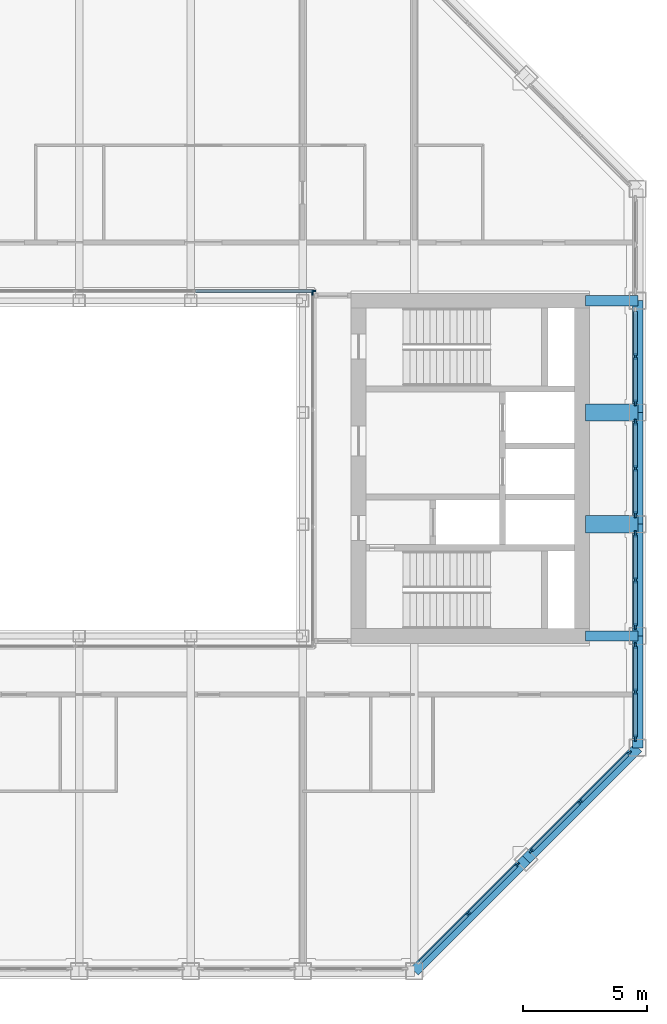
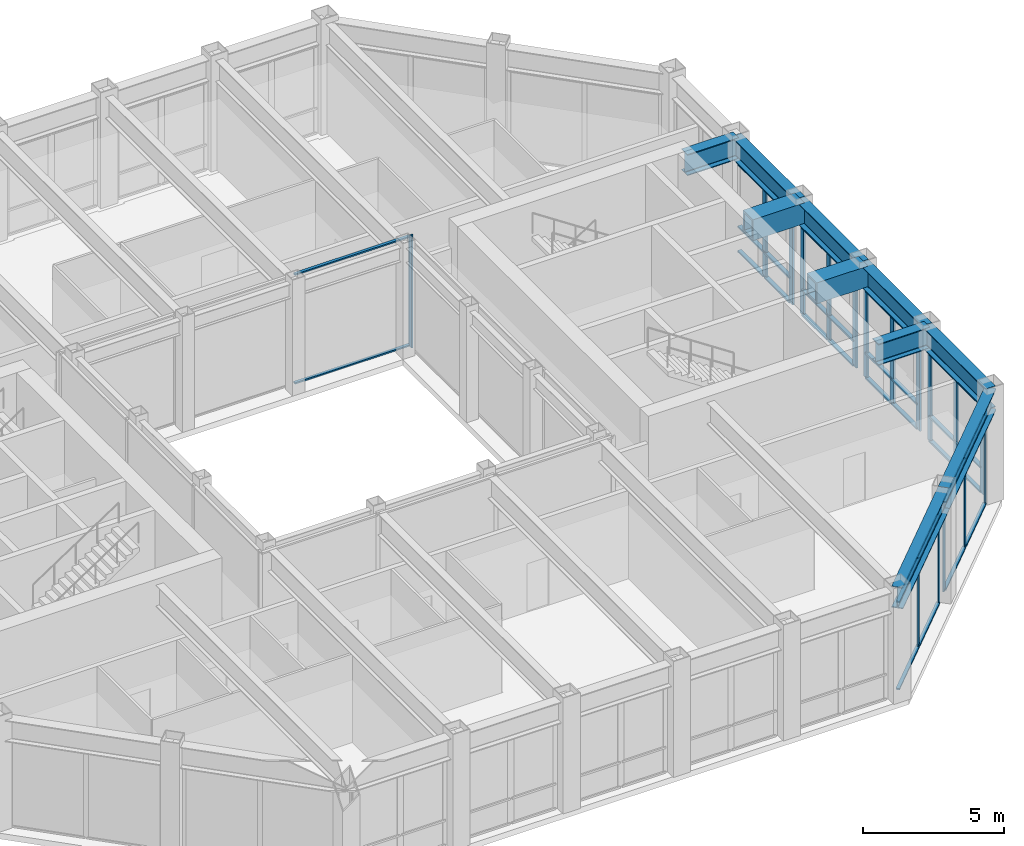
# One storey, part 5 of 15: 52 members, 10 beams, 8 elements without a shape of their own.
"""IFC4 building model written with IfcOpenShell, lengths in metres."""

from ifc_helpers import new_model, si_unit, direction, frame, origin, origin_2d, place, context, subcontext, project, spatial, rectangle, hollow_rectangle, i_section, extrude, material, material_profile, profile_set, type_object, element, aggregate, save


model = new_model("IFC4")

# Units and contexts
model_context = context("Model", 3, precision=1e-05, world=origin(), true_north=direction((0.0, 1.0)))
body_context = subcontext(model_context, "Body", "Model", "MODEL_VIEW")
ifc_project = project(units=[si_unit("LENGTHUNIT", "METRE"), si_unit("AREAUNIT", "SQUARE_METRE"), si_unit("VOLUMEUNIT", "CUBIC_METRE"), si_unit("PLANEANGLEUNIT", "RADIAN"), si_unit("MASSUNIT", "GRAM", prefix="KILO")], contexts=[model_context])

# Site, building, storey
site_placement = place(None, origin())
site = spatial("IfcSite", under=ifc_project, at=site_placement, CompositionType="ELEMENT")
building_placement = place(site_placement, origin())
building = spatial("IfcBuilding", under=site, at=building_placement, Name="Msasa Ring Tower", CompositionType="ELEMENT")
storey_placement = place(building_placement, frame((0.0, 0.0, 257.050048828125)))
storey = spatial("IfcBuildingStorey", under=building, at=storey_placement, Name="L67", CompositionType="ELEMENT", Elevation=257.050048828125)

# Curtain wall, members
ifc_material_1 = material(Name="Aluminium curtain wall with clear glass", Category="aluminium")
curtain_wall_type_1 = type_object("IfcCurtainWallType", Name="CW-C CHAMFER CORNER CURTAIN WALL", PredefinedType="NOTDEFINED", material=ifc_material_1)
curtain_wall_1_placement = place(storey_placement, origin())
curtain_wall_1 = element("IfcCurtainWall", 1, at=curtain_wall_1_placement, inside=storey, type_object=curtain_wall_type_1, Name="Chamfer corner curtain wall SE L67", PredefinedType="NOTDEFINED")
ifc_material_2 = material(Name="Aluminium mullion", Category="aluminium")
ifc_material_profile_1 = material_profile(ifc_material_2, rectangle(XDim=0.06494140625, YDim=0.179931640625, at=origin_2d()), Name="AL 65x180")
ifc_profile_set_1 = profile_set([ifc_material_profile_1], Name="Aluminium mullion")
member_type_1 = type_object("IfcMemberType", Name="CW-C MULLION 65x180", PredefinedType="MULLION", material=ifc_profile_set_1)
member_1_placement = place(storey_placement, frame((13.42919921875, -17.92919921875, 0.0), z_axis=(0.0, 0.0, 1.0), x_axis=(-0.707106781187, 0.707106781187, 0.0)))
member_1 = element("IfcMember", 2, at=member_1_placement, type_object=member_type_1, Name="CW-C mullion 2", PredefinedType="MULLION", context=body_context, shape_type="SweptSolid", body=[
    extrude(rectangle(XDim=0.06494140625, YDim=0.179931640625, at=origin_2d()), origin(), (0.0, 0.0, 1.0), 3.828857421875),
])
member_2_placement = place(storey_placement, frame((15.4052734375, -15.953369140625, 0.0), z_axis=(0.0, 0.0, 1.0), x_axis=(-0.707106781187, 0.707106781187, 0.0)))
member_2 = element("IfcMember", 3, at=member_2_placement, type_object=member_type_1, Name="CW-C mullion 3", PredefinedType="MULLION", context=body_context, shape_type="SweptSolid", body=[
    extrude(rectangle(XDim=0.06494140625, YDim=0.179931640625, at=origin_2d()), origin(), (0.0, 0.0, 1.0), 3.828857421875),
])

curtain_wall_2_placement = place(storey_placement, origin())
curtain_wall_2 = element("IfcCurtainWall", 4, at=curtain_wall_2_placement, inside=storey, type_object=curtain_wall_type_1, Name="Chamfer corner curtain wall SE L67", PredefinedType="NOTDEFINED")
member_3_placement = place(storey_placement, frame((15.953369140625, -15.4052734375, 0.0), z_axis=(0.0, 0.0, 1.0), x_axis=(-0.707106781187, 0.707106781187, 0.0)))
member_3 = element("IfcMember", 5, at=member_3_placement, type_object=member_type_1, Name="CW-C mullion 1", PredefinedType="MULLION", context=body_context, shape_type="SweptSolid", body=[
    extrude(rectangle(XDim=0.06494140625, YDim=0.179931640625, at=origin_2d()), origin(), (0.0, 0.0, 1.0), 3.828857421875),
])
member_4_placement = place(storey_placement, frame((17.92919921875, -13.42919921875, 0.0), z_axis=(0.0, 0.0, 1.0), x_axis=(-0.707106781187, 0.707106781187, 0.0)))
member_4 = element("IfcMember", 6, at=member_4_placement, type_object=member_type_1, Name="CW-C mullion 2", PredefinedType="MULLION", context=body_context, shape_type="SweptSolid", body=[
    extrude(rectangle(XDim=0.06494140625, YDim=0.179931640625, at=origin_2d()), origin(), (0.0, 0.0, 1.0), 3.828857421875),
])
member_5_placement = place(storey_placement, frame((19.9052734375, -11.453369140625, 0.0), z_axis=(0.0, 0.0, 1.0), x_axis=(-0.707106781187, 0.707106781187, 0.0)))
member_5 = element("IfcMember", 7, at=member_5_placement, type_object=member_type_1, Name="CW-C mullion 3", PredefinedType="MULLION", context=body_context, shape_type="SweptSolid", body=[
    extrude(rectangle(XDim=0.06494140625, YDim=0.179931640625, at=origin_2d()), origin(), (0.0, 0.0, 1.0), 3.828857421875),
])

# Member
ifc_material_3 = material(Name="Aluminium transom", Category="aluminium")
ifc_material_profile_2 = material_profile(ifc_material_3, rectangle(XDim=0.139892578125, YDim=0.06494140625, at=origin_2d()), Name="AL 65x140")
ifc_profile_set_2 = profile_set([ifc_material_profile_2], Name="Aluminium transom")
member_type_2 = type_object("IfcMemberType", Name="CW-C TRANSOM 65x140", PredefinedType="USERDEFINED", material=ifc_profile_set_2)
member_6_placement = place(storey_placement, frame((11.476318359375, -19.88232421875, 0.032470703125), z_axis=(0.707106781187, 0.707106781187, 0.0), x_axis=(-0.707106781187, 0.707106781187, 0.0)))
member_6 = element("IfcMember", 8, at=member_6_placement, type_object=member_type_2, Name="CW-C transom 1.1", ObjectType="TRANSOM", PredefinedType="USERDEFINED", context=body_context, shape_type="SweptSolid", body=[
    extrude(rectangle(XDim=0.139892578125, YDim=0.06494140625, at=origin_2d()), origin(), (0.0, 0.0, 1.0), 2.729248046875),
])

member_7_placement = place(storey_placement, frame((11.476318359375, -19.88232421875, 3.79638671875), z_axis=(0.707106781187, 0.707106781187, 0.0), x_axis=(-0.707106781187, 0.707106781187, 0.0)))
member_7 = element("IfcMember", 9, at=member_7_placement, type_object=member_type_2, Name="CW-C transom 1.2", ObjectType="TRANSOM", PredefinedType="USERDEFINED", context=body_context, shape_type="SweptSolid", body=[
    extrude(rectangle(XDim=0.139892578125, YDim=0.06494140625, at=origin_2d()), origin(), (0.0, 0.0, 1.0), 2.729248046875),
])

member_8_placement = place(storey_placement, frame((13.452392578125, -17.90625, 0.032470703125), z_axis=(0.707106781187, 0.707106781187, 0.0), x_axis=(-0.707106781187, 0.707106781187, 0.0)))
member_8 = element("IfcMember", 10, at=member_8_placement, type_object=member_type_2, Name="CW-C transom 2.1", ObjectType="TRANSOM", PredefinedType="USERDEFINED", context=body_context, shape_type="SweptSolid", body=[
    extrude(rectangle(XDim=0.139892578125, YDim=0.06494140625, at=origin_2d()), origin(), (0.0, 0.0, 1.0), 2.729248046875),
])

member_9_placement = place(storey_placement, frame((13.452392578125, -17.90625, 3.79638671875), z_axis=(0.707106781187, 0.707106781187, 0.0), x_axis=(-0.707106781187, 0.707106781187, 0.0)))
member_9 = element("IfcMember", 11, at=member_9_placement, type_object=member_type_2, Name="CW-C transom 2.2", ObjectType="TRANSOM", PredefinedType="USERDEFINED", context=body_context, shape_type="SweptSolid", body=[
    extrude(rectangle(XDim=0.139892578125, YDim=0.06494140625, at=origin_2d()), origin(), (0.0, 0.0, 1.0), 2.729248046875),
])

aggregate(curtain_wall_1, [member_1, member_2, member_6, member_7, member_8, member_9])

member_10_placement = place(storey_placement, frame((15.976318359375, -15.38232421875, 0.032470703125), z_axis=(0.707106781187, 0.707106781187, 0.0), x_axis=(-0.707106781187, 0.707106781187, 0.0)))
member_10 = element("IfcMember", 12, at=member_10_placement, type_object=member_type_2, Name="CW-C transom 1.1", ObjectType="TRANSOM", PredefinedType="USERDEFINED", context=body_context, shape_type="SweptSolid", body=[
    extrude(rectangle(XDim=0.139892578125, YDim=0.06494140625, at=origin_2d()), origin(), (0.0, 0.0, 1.0), 2.729248046875),
])

member_11_placement = place(storey_placement, frame((15.976318359375, -15.38232421875, 3.79638671875), z_axis=(0.707106781187, 0.707106781187, 0.0), x_axis=(-0.707106781187, 0.707106781187, 0.0)))
member_11 = element("IfcMember", 13, at=member_11_placement, type_object=member_type_2, Name="CW-C transom 1.2", ObjectType="TRANSOM", PredefinedType="USERDEFINED", context=body_context, shape_type="SweptSolid", body=[
    extrude(rectangle(XDim=0.139892578125, YDim=0.06494140625, at=origin_2d()), origin(), (0.0, 0.0, 1.0), 2.729248046875),
])

member_12_placement = place(storey_placement, frame((17.952392578125, -13.40625, 0.032470703125), z_axis=(0.707106781187, 0.707106781187, 0.0), x_axis=(-0.707106781187, 0.707106781187, 0.0)))
member_12 = element("IfcMember", 14, at=member_12_placement, type_object=member_type_2, Name="CW-C transom 2.1", ObjectType="TRANSOM", PredefinedType="USERDEFINED", context=body_context, shape_type="SweptSolid", body=[
    extrude(rectangle(XDim=0.139892578125, YDim=0.06494140625, at=origin_2d()), origin(), (0.0, 0.0, 1.0), 2.729248046875),
])

member_13_placement = place(storey_placement, frame((17.952392578125, -13.40625, 3.79638671875), z_axis=(0.707106781187, 0.707106781187, 0.0), x_axis=(-0.707106781187, 0.707106781187, 0.0)))
member_13 = element("IfcMember", 15, at=member_13_placement, type_object=member_type_2, Name="CW-C transom 2.2", ObjectType="TRANSOM", PredefinedType="USERDEFINED", context=body_context, shape_type="SweptSolid", body=[
    extrude(rectangle(XDim=0.139892578125, YDim=0.06494140625, at=origin_2d()), origin(), (0.0, 0.0, 1.0), 2.729248046875),
])

aggregate(curtain_wall_2, [member_3, member_4, member_5, member_10, member_11, member_12, member_13])

# Curtain wall, members
ifc_material_4 = material(Name="Aluminium curtain wall with clear glass", Category="aluminium")
curtain_wall_type_2 = type_object("IfcCurtainWallType", Name="CW-S SKY LOBBY CURTAIN WALL", PredefinedType="NOTDEFINED", material=ifc_material_4)
curtain_wall_3_placement = place(storey_placement, origin())
curtain_wall_3 = element("IfcCurtainWall", 16, at=curtain_wall_3_placement, inside=storey, type_object=curtain_wall_type_2, Name="Sky lobby curtain wall E L67", PredefinedType="NOTDEFINED")
ifc_material_5 = material(Name="Aluminium mullion", Category="aluminium")
ifc_material_profile_3 = material_profile(ifc_material_5, rectangle(XDim=0.074951171875, YDim=0.25, at=origin_2d()), Name="AL 75x250")
ifc_profile_set_3 = profile_set([ifc_material_profile_3], Name="Aluminium mullion")
member_type_3 = type_object("IfcMemberType", Name="CW-S MULLION 75x250", PredefinedType="MULLION", material=ifc_profile_set_3)
member_14_placement = place(storey_placement, frame((20.14990234375, -10.857421875, 0.0), z_axis=(0.0, 0.0, 1.0), x_axis=(-1.0, 0.0, 0.0)))
member_14 = element("IfcMember", 17, at=member_14_placement, type_object=member_type_3, Name="CW-S mullion 1", PredefinedType="MULLION", context=body_context, shape_type="SweptSolid", body=[
    extrude(rectangle(XDim=0.074951171875, YDim=0.25, at=origin_2d()), origin(), (0.0, 0.0, 1.0), 3.828857421875),
])
member_15_placement = place(storey_placement, frame((20.14990234375, -9.0, 0.0), z_axis=(0.0, 0.0, 1.0), x_axis=(-1.0, 0.0, 0.0)))
member_15 = element("IfcMember", 18, at=member_15_placement, type_object=member_type_3, Name="CW-S mullion 2", PredefinedType="MULLION", context=body_context, shape_type="SweptSolid", body=[
    extrude(rectangle(XDim=0.074951171875, YDim=0.25, at=origin_2d()), origin(), (0.0, 0.0, 1.0), 3.828857421875),
])
member_16_placement = place(storey_placement, frame((20.14990234375, -7.142578125, 0.0), z_axis=(0.0, 0.0, 1.0), x_axis=(-1.0, 0.0, 0.0)))
member_16 = element("IfcMember", 19, at=member_16_placement, type_object=member_type_3, Name="CW-S mullion 3", PredefinedType="MULLION", context=body_context, shape_type="SweptSolid", body=[
    extrude(rectangle(XDim=0.074951171875, YDim=0.25, at=origin_2d()), origin(), (0.0, 0.0, 1.0), 3.828857421875),
])

curtain_wall_4_placement = place(storey_placement, origin())
curtain_wall_4 = element("IfcCurtainWall", 20, at=curtain_wall_4_placement, inside=storey, type_object=curtain_wall_type_2, Name="Sky lobby curtain wall E L67", PredefinedType="NOTDEFINED")
member_17_placement = place(storey_placement, frame((20.14990234375, -6.357421875, 0.0), z_axis=(0.0, 0.0, 1.0), x_axis=(-1.0, 0.0, 0.0)))
member_17 = element("IfcMember", 21, at=member_17_placement, type_object=member_type_3, Name="CW-S mullion 1", PredefinedType="MULLION", context=body_context, shape_type="SweptSolid", body=[
    extrude(rectangle(XDim=0.074951171875, YDim=0.25, at=origin_2d()), origin(), (0.0, 0.0, 1.0), 3.828857421875),
])
member_18_placement = place(storey_placement, frame((20.14990234375, -4.5, 0.0), z_axis=(0.0, 0.0, 1.0), x_axis=(-1.0, 0.0, 0.0)))
member_18 = element("IfcMember", 22, at=member_18_placement, type_object=member_type_3, Name="CW-S mullion 2", PredefinedType="MULLION", context=body_context, shape_type="SweptSolid", body=[
    extrude(rectangle(XDim=0.074951171875, YDim=0.25, at=origin_2d()), origin(), (0.0, 0.0, 1.0), 3.828857421875),
])
member_19_placement = place(storey_placement, frame((20.14990234375, -2.642578125, 0.0), z_axis=(0.0, 0.0, 1.0), x_axis=(-1.0, 0.0, 0.0)))
member_19 = element("IfcMember", 23, at=member_19_placement, type_object=member_type_3, Name="CW-S mullion 3", PredefinedType="MULLION", context=body_context, shape_type="SweptSolid", body=[
    extrude(rectangle(XDim=0.074951171875, YDim=0.25, at=origin_2d()), origin(), (0.0, 0.0, 1.0), 3.828857421875),
])

curtain_wall_5_placement = place(storey_placement, origin())
curtain_wall_5 = element("IfcCurtainWall", 24, at=curtain_wall_5_placement, inside=storey, type_object=curtain_wall_type_2, Name="Sky lobby curtain wall E L67", PredefinedType="NOTDEFINED")
member_20_placement = place(storey_placement, frame((20.14990234375, -1.857421875, 0.0), z_axis=(0.0, 0.0, 1.0), x_axis=(-1.0, 0.0, 0.0)))
member_20 = element("IfcMember", 25, at=member_20_placement, type_object=member_type_3, Name="CW-S mullion 1", PredefinedType="MULLION", context=body_context, shape_type="SweptSolid", body=[
    extrude(rectangle(XDim=0.074951171875, YDim=0.25, at=origin_2d()), origin(), (0.0, 0.0, 1.0), 3.828857421875),
])
member_21_placement = place(storey_placement, frame((20.14990234375, 0.0, 0.0), z_axis=(0.0, 0.0, 1.0), x_axis=(-1.0, 0.0, 0.0)))
member_21 = element("IfcMember", 26, at=member_21_placement, type_object=member_type_3, Name="CW-S mullion 2", PredefinedType="MULLION", context=body_context, shape_type="SweptSolid", body=[
    extrude(rectangle(XDim=0.074951171875, YDim=0.25, at=origin_2d()), origin(), (0.0, 0.0, 1.0), 3.828857421875),
])
member_22_placement = place(storey_placement, frame((20.14990234375, 1.857421875, 0.0), z_axis=(0.0, 0.0, 1.0), x_axis=(-1.0, 0.0, 0.0)))
member_22 = element("IfcMember", 27, at=member_22_placement, type_object=member_type_3, Name="CW-S mullion 3", PredefinedType="MULLION", context=body_context, shape_type="SweptSolid", body=[
    extrude(rectangle(XDim=0.074951171875, YDim=0.25, at=origin_2d()), origin(), (0.0, 0.0, 1.0), 3.828857421875),
])

curtain_wall_6_placement = place(storey_placement, origin())
curtain_wall_6 = element("IfcCurtainWall", 28, at=curtain_wall_6_placement, inside=storey, type_object=curtain_wall_type_2, Name="Sky lobby curtain wall E L67", PredefinedType="NOTDEFINED")
member_23_placement = place(storey_placement, frame((20.14990234375, 2.642578125, 0.0), z_axis=(0.0, 0.0, 1.0), x_axis=(-1.0, 0.0, 0.0)))
member_23 = element("IfcMember", 29, at=member_23_placement, type_object=member_type_3, Name="CW-S mullion 1", PredefinedType="MULLION", context=body_context, shape_type="SweptSolid", body=[
    extrude(rectangle(XDim=0.074951171875, YDim=0.25, at=origin_2d()), origin(), (0.0, 0.0, 1.0), 3.828857421875),
])
member_24_placement = place(storey_placement, frame((20.14990234375, 4.5, 0.0), z_axis=(0.0, 0.0, 1.0), x_axis=(-1.0, 0.0, 0.0)))
member_24 = element("IfcMember", 30, at=member_24_placement, type_object=member_type_3, Name="CW-S mullion 2", PredefinedType="MULLION", context=body_context, shape_type="SweptSolid", body=[
    extrude(rectangle(XDim=0.074951171875, YDim=0.25, at=origin_2d()), origin(), (0.0, 0.0, 1.0), 3.828857421875),
])

# Member
ifc_material_6 = material(Name="Aluminium transom", Category="aluminium")
ifc_material_profile_4 = material_profile(ifc_material_6, rectangle(XDim=0.159912109375, YDim=0.074951171875, at=origin_2d()), Name="AL 75x160")
ifc_profile_set_4 = profile_set([ifc_material_profile_4], Name="Aluminium transom")
member_type_4 = type_object("IfcMemberType", Name="CW-S TRANSOM 75x160", PredefinedType="USERDEFINED", material=ifc_profile_set_4)
member_25_placement = place(storey_placement, frame((20.14990234375, -10.820068359375, 0.037353515625), z_axis=(0.0, 1.0, 0.0), x_axis=(-1.0, 0.0, 0.0)))
member_25 = element("IfcMember", 31, at=member_25_placement, type_object=member_type_4, Name="CW-S transom 1.1", ObjectType="TRANSOM", PredefinedType="USERDEFINED", context=body_context, shape_type="SweptSolid", body=[
    extrude(rectangle(XDim=0.159912109375, YDim=0.074951171875, at=origin_2d()), origin(), (0.0, 0.0, 1.0), 1.782470703125),
])

member_26_placement = place(storey_placement, frame((20.14990234375, -10.820068359375, 1.099853515625), z_axis=(0.0, 1.0, 0.0), x_axis=(-1.0, 0.0, 0.0)))
member_26 = element("IfcMember", 32, at=member_26_placement, type_object=member_type_4, Name="CW-S transom 1.2", ObjectType="TRANSOM", PredefinedType="USERDEFINED", context=body_context, shape_type="SweptSolid", body=[
    extrude(rectangle(XDim=0.159912109375, YDim=0.074951171875, at=origin_2d()), origin(), (0.0, 0.0, 1.0), 1.782470703125),
])

member_27_placement = place(storey_placement, frame((20.14990234375, -10.820068359375, 3.79150390625), z_axis=(0.0, 1.0, 0.0), x_axis=(-1.0, 0.0, 0.0)))
member_27 = element("IfcMember", 33, at=member_27_placement, type_object=member_type_4, Name="CW-S transom 1.3", ObjectType="TRANSOM", PredefinedType="USERDEFINED", context=body_context, shape_type="SweptSolid", body=[
    extrude(rectangle(XDim=0.159912109375, YDim=0.074951171875, at=origin_2d()), origin(), (0.0, 0.0, 1.0), 1.782470703125),
])

member_28_placement = place(storey_placement, frame((20.14990234375, -8.96240234375, 0.037353515625), z_axis=(0.0, 1.0, 0.0), x_axis=(-1.0, 0.0, 0.0)))
member_28 = element("IfcMember", 34, at=member_28_placement, type_object=member_type_4, Name="CW-S transom 2.1", ObjectType="TRANSOM", PredefinedType="USERDEFINED", context=body_context, shape_type="SweptSolid", body=[
    extrude(rectangle(XDim=0.159912109375, YDim=0.074951171875, at=origin_2d()), origin(), (0.0, 0.0, 1.0), 1.782470703125),
])

member_29_placement = place(storey_placement, frame((20.14990234375, -8.96240234375, 1.099853515625), z_axis=(0.0, 1.0, 0.0), x_axis=(-1.0, 0.0, 0.0)))
member_29 = element("IfcMember", 35, at=member_29_placement, type_object=member_type_4, Name="CW-S transom 2.2", ObjectType="TRANSOM", PredefinedType="USERDEFINED", context=body_context, shape_type="SweptSolid", body=[
    extrude(rectangle(XDim=0.159912109375, YDim=0.074951171875, at=origin_2d()), origin(), (0.0, 0.0, 1.0), 1.782470703125),
])

member_30_placement = place(storey_placement, frame((20.14990234375, -8.96240234375, 3.79150390625), z_axis=(0.0, 1.0, 0.0), x_axis=(-1.0, 0.0, 0.0)))
member_30 = element("IfcMember", 36, at=member_30_placement, type_object=member_type_4, Name="CW-S transom 2.3", ObjectType="TRANSOM", PredefinedType="USERDEFINED", context=body_context, shape_type="SweptSolid", body=[
    extrude(rectangle(XDim=0.159912109375, YDim=0.074951171875, at=origin_2d()), origin(), (0.0, 0.0, 1.0), 1.782470703125),
])

aggregate(curtain_wall_3, [member_14, member_15, member_16, member_25, member_26, member_27, member_28, member_29, member_30])

member_31_placement = place(storey_placement, frame((20.14990234375, -6.320068359375, 0.037353515625), z_axis=(0.0, 1.0, 0.0), x_axis=(-1.0, 0.0, 0.0)))
member_31 = element("IfcMember", 37, at=member_31_placement, type_object=member_type_4, Name="CW-S transom 1.1", ObjectType="TRANSOM", PredefinedType="USERDEFINED", context=body_context, shape_type="SweptSolid", body=[
    extrude(rectangle(XDim=0.159912109375, YDim=0.074951171875, at=origin_2d()), origin(), (0.0, 0.0, 1.0), 1.782470703125),
])

member_32_placement = place(storey_placement, frame((20.14990234375, -6.320068359375, 1.099853515625), z_axis=(0.0, 1.0, 0.0), x_axis=(-1.0, 0.0, 0.0)))
member_32 = element("IfcMember", 38, at=member_32_placement, type_object=member_type_4, Name="CW-S transom 1.2", ObjectType="TRANSOM", PredefinedType="USERDEFINED", context=body_context, shape_type="SweptSolid", body=[
    extrude(rectangle(XDim=0.159912109375, YDim=0.074951171875, at=origin_2d()), origin(), (0.0, 0.0, 1.0), 1.782470703125),
])

member_33_placement = place(storey_placement, frame((20.14990234375, -6.320068359375, 3.79150390625), z_axis=(0.0, 1.0, 0.0), x_axis=(-1.0, 0.0, 0.0)))
member_33 = element("IfcMember", 39, at=member_33_placement, type_object=member_type_4, Name="CW-S transom 1.3", ObjectType="TRANSOM", PredefinedType="USERDEFINED", context=body_context, shape_type="SweptSolid", body=[
    extrude(rectangle(XDim=0.159912109375, YDim=0.074951171875, at=origin_2d()), origin(), (0.0, 0.0, 1.0), 1.782470703125),
])

member_34_placement = place(storey_placement, frame((20.14990234375, -4.46240234375, 0.037353515625), z_axis=(0.0, 1.0, 0.0), x_axis=(-1.0, 0.0, 0.0)))
member_34 = element("IfcMember", 40, at=member_34_placement, type_object=member_type_4, Name="CW-S transom 2.1", ObjectType="TRANSOM", PredefinedType="USERDEFINED", context=body_context, shape_type="SweptSolid", body=[
    extrude(rectangle(XDim=0.159912109375, YDim=0.074951171875, at=origin_2d()), origin(), (0.0, 0.0, 1.0), 1.782470703125),
])

member_35_placement = place(storey_placement, frame((20.14990234375, -4.46240234375, 1.099853515625), z_axis=(0.0, 1.0, 0.0), x_axis=(-1.0, 0.0, 0.0)))
member_35 = element("IfcMember", 41, at=member_35_placement, type_object=member_type_4, Name="CW-S transom 2.2", ObjectType="TRANSOM", PredefinedType="USERDEFINED", context=body_context, shape_type="SweptSolid", body=[
    extrude(rectangle(XDim=0.159912109375, YDim=0.074951171875, at=origin_2d()), origin(), (0.0, 0.0, 1.0), 1.782470703125),
])

member_36_placement = place(storey_placement, frame((20.14990234375, -4.46240234375, 3.79150390625), z_axis=(0.0, 1.0, 0.0), x_axis=(-1.0, 0.0, 0.0)))
member_36 = element("IfcMember", 42, at=member_36_placement, type_object=member_type_4, Name="CW-S transom 2.3", ObjectType="TRANSOM", PredefinedType="USERDEFINED", context=body_context, shape_type="SweptSolid", body=[
    extrude(rectangle(XDim=0.159912109375, YDim=0.074951171875, at=origin_2d()), origin(), (0.0, 0.0, 1.0), 1.782470703125),
])

aggregate(curtain_wall_4, [member_17, member_18, member_19, member_31, member_32, member_33, member_34, member_35, member_36])

member_37_placement = place(storey_placement, frame((20.14990234375, -1.820068359375, 0.037353515625), z_axis=(0.0, 1.0, 0.0), x_axis=(-1.0, 0.0, 0.0)))
member_37 = element("IfcMember", 43, at=member_37_placement, type_object=member_type_4, Name="CW-S transom 1.1", ObjectType="TRANSOM", PredefinedType="USERDEFINED", context=body_context, shape_type="SweptSolid", body=[
    extrude(rectangle(XDim=0.159912109375, YDim=0.074951171875, at=origin_2d()), origin(), (0.0, 0.0, 1.0), 1.782470703125),
])

member_38_placement = place(storey_placement, frame((20.14990234375, -1.820068359375, 1.099853515625), z_axis=(0.0, 1.0, 0.0), x_axis=(-1.0, 0.0, 0.0)))
member_38 = element("IfcMember", 44, at=member_38_placement, type_object=member_type_4, Name="CW-S transom 1.2", ObjectType="TRANSOM", PredefinedType="USERDEFINED", context=body_context, shape_type="SweptSolid", body=[
    extrude(rectangle(XDim=0.159912109375, YDim=0.074951171875, at=origin_2d()), origin(), (0.0, 0.0, 1.0), 1.782470703125),
])

member_39_placement = place(storey_placement, frame((20.14990234375, -1.820068359375, 3.79150390625), z_axis=(0.0, 1.0, 0.0), x_axis=(-1.0, 0.0, 0.0)))
member_39 = element("IfcMember", 45, at=member_39_placement, type_object=member_type_4, Name="CW-S transom 1.3", ObjectType="TRANSOM", PredefinedType="USERDEFINED", context=body_context, shape_type="SweptSolid", body=[
    extrude(rectangle(XDim=0.159912109375, YDim=0.074951171875, at=origin_2d()), origin(), (0.0, 0.0, 1.0), 1.782470703125),
])

member_40_placement = place(storey_placement, frame((20.14990234375, 0.03759765625, 0.037353515625), z_axis=(0.0, 1.0, 0.0), x_axis=(-1.0, 0.0, 0.0)))
member_40 = element("IfcMember", 46, at=member_40_placement, type_object=member_type_4, Name="CW-S transom 2.1", ObjectType="TRANSOM", PredefinedType="USERDEFINED", context=body_context, shape_type="SweptSolid", body=[
    extrude(rectangle(XDim=0.159912109375, YDim=0.074951171875, at=origin_2d()), origin(), (0.0, 0.0, 1.0), 1.782470703125),
])

member_41_placement = place(storey_placement, frame((20.14990234375, 0.03759765625, 1.099853515625), z_axis=(0.0, 1.0, 0.0), x_axis=(-1.0, 0.0, 0.0)))
member_41 = element("IfcMember", 47, at=member_41_placement, type_object=member_type_4, Name="CW-S transom 2.2", ObjectType="TRANSOM", PredefinedType="USERDEFINED", context=body_context, shape_type="SweptSolid", body=[
    extrude(rectangle(XDim=0.159912109375, YDim=0.074951171875, at=origin_2d()), origin(), (0.0, 0.0, 1.0), 1.782470703125),
])

member_42_placement = place(storey_placement, frame((20.14990234375, 0.03759765625, 3.79150390625), z_axis=(0.0, 1.0, 0.0), x_axis=(-1.0, 0.0, 0.0)))
member_42 = element("IfcMember", 48, at=member_42_placement, type_object=member_type_4, Name="CW-S transom 2.3", ObjectType="TRANSOM", PredefinedType="USERDEFINED", context=body_context, shape_type="SweptSolid", body=[
    extrude(rectangle(XDim=0.159912109375, YDim=0.074951171875, at=origin_2d()), origin(), (0.0, 0.0, 1.0), 1.782470703125),
])

aggregate(curtain_wall_5, [member_20, member_21, member_22, member_37, member_38, member_39, member_40, member_41, member_42])

member_43_placement = place(storey_placement, frame((20.14990234375, 2.679931640625, 0.037353515625), z_axis=(0.0, 1.0, 0.0), x_axis=(-1.0, 0.0, 0.0)))
member_43 = element("IfcMember", 49, at=member_43_placement, type_object=member_type_4, Name="CW-S transom 1.1", ObjectType="TRANSOM", PredefinedType="USERDEFINED", context=body_context, shape_type="SweptSolid", body=[
    extrude(rectangle(XDim=0.159912109375, YDim=0.074951171875, at=origin_2d()), origin(), (0.0, 0.0, 1.0), 1.782470703125),
])

member_44_placement = place(storey_placement, frame((20.14990234375, 2.679931640625, 1.099853515625), z_axis=(0.0, 1.0, 0.0), x_axis=(-1.0, 0.0, 0.0)))
member_44 = element("IfcMember", 50, at=member_44_placement, type_object=member_type_4, Name="CW-S transom 1.2", ObjectType="TRANSOM", PredefinedType="USERDEFINED", context=body_context, shape_type="SweptSolid", body=[
    extrude(rectangle(XDim=0.159912109375, YDim=0.074951171875, at=origin_2d()), origin(), (0.0, 0.0, 1.0), 1.782470703125),
])

member_45_placement = place(storey_placement, frame((20.14990234375, 2.679931640625, 3.79150390625), z_axis=(0.0, 1.0, 0.0), x_axis=(-1.0, 0.0, 0.0)))
member_45 = element("IfcMember", 51, at=member_45_placement, type_object=member_type_4, Name="CW-S transom 1.3", ObjectType="TRANSOM", PredefinedType="USERDEFINED", context=body_context, shape_type="SweptSolid", body=[
    extrude(rectangle(XDim=0.159912109375, YDim=0.074951171875, at=origin_2d()), origin(), (0.0, 0.0, 1.0), 1.782470703125),
])

member_46_placement = place(storey_placement, frame((20.14990234375, 4.53759765625, 0.037353515625), z_axis=(0.0, 1.0, 0.0), x_axis=(-1.0, 0.0, 0.0)))
member_46 = element("IfcMember", 52, at=member_46_placement, type_object=member_type_4, Name="CW-S transom 2.1", ObjectType="TRANSOM", PredefinedType="USERDEFINED", context=body_context, shape_type="SweptSolid", body=[
    extrude(rectangle(XDim=0.159912109375, YDim=0.074951171875, at=origin_2d()), origin(), (0.0, 0.0, 1.0), 1.782470703125),
])

member_47_placement = place(storey_placement, frame((20.14990234375, 4.53759765625, 1.099853515625), z_axis=(0.0, 1.0, 0.0), x_axis=(-1.0, 0.0, 0.0)))
member_47 = element("IfcMember", 53, at=member_47_placement, type_object=member_type_4, Name="CW-S transom 2.2", ObjectType="TRANSOM", PredefinedType="USERDEFINED", context=body_context, shape_type="SweptSolid", body=[
    extrude(rectangle(XDim=0.159912109375, YDim=0.074951171875, at=origin_2d()), origin(), (0.0, 0.0, 1.0), 1.782470703125),
])

member_48_placement = place(storey_placement, frame((20.14990234375, 4.53759765625, 3.79150390625), z_axis=(0.0, 1.0, 0.0), x_axis=(-1.0, 0.0, 0.0)))
member_48 = element("IfcMember", 54, at=member_48_placement, type_object=member_type_4, Name="CW-S transom 2.3", ObjectType="TRANSOM", PredefinedType="USERDEFINED", context=body_context, shape_type="SweptSolid", body=[
    extrude(rectangle(XDim=0.159912109375, YDim=0.074951171875, at=origin_2d()), origin(), (0.0, 0.0, 1.0), 1.782470703125),
])

aggregate(curtain_wall_6, [member_23, member_24, member_43, member_44, member_45, member_46, member_47, member_48])

# Curtain wall, member
ifc_material_7 = material(Name="Aluminium curtain wall with clear glass", Category="aluminium")
curtain_wall_type_3 = type_object("IfcCurtainWallType", Name="CW-W LIGHT WELL CURTAIN WALL", PredefinedType="NOTDEFINED", material=ifc_material_7)
curtain_wall_7_placement = place(storey_placement, origin())
curtain_wall_7 = element("IfcCurtainWall", 55, at=curtain_wall_7_placement, inside=storey, type_object=curtain_wall_type_3, Name="Light well curtain wall N L67", PredefinedType="NOTDEFINED")
ifc_material_8 = material(Name="Aluminium mullion", Category="aluminium")
ifc_material_profile_5 = material_profile(ifc_material_8, rectangle(XDim=0.06005859375, YDim=0.159912109375, at=origin_2d()), Name="AL 60x160")
ifc_profile_set_5 = profile_set([ifc_material_profile_5], Name="Aluminium mullion")
member_type_5 = type_object("IfcMemberType", Name="CW-W MULLION 60x160", PredefinedType="MULLION", material=ifc_profile_set_5)
member_49_placement = place(storey_placement, frame((7.199951171875, 7.14990234375, 0.0), z_axis=(0.0, 0.0, 1.0), x_axis=(0.0, 1.0, 0.0)))
member_49 = element("IfcMember", 56, at=member_49_placement, type_object=member_type_5, Name="CW-W mullion 4", PredefinedType="MULLION", context=body_context, shape_type="SweptSolid", body=[
    extrude(rectangle(XDim=0.06005859375, YDim=0.159912109375, at=origin_2d()), origin(), (0.0, 0.0, 1.0), 4.75),
])

curtain_wall_8_placement = place(storey_placement, origin())
curtain_wall_8 = element("IfcCurtainWall", 57, at=curtain_wall_8_placement, inside=storey, type_object=curtain_wall_type_3, Name="Light well curtain wall E L67", PredefinedType="NOTDEFINED")
member_50_placement = place(storey_placement, frame((7.14990234375, 7.0400390625, 0.0), z_axis=(0.0, 0.0, 1.0), x_axis=(-1.0, 0.0, 0.0)))
member_50 = element("IfcMember", 58, at=member_50_placement, type_object=member_type_5, Name="CW-W mullion 4", PredefinedType="MULLION", context=body_context, shape_type="SweptSolid", body=[
    extrude(rectangle(XDim=0.06005859375, YDim=0.159912109375, at=origin_2d()), origin(), (0.0, 0.0, 1.0), 4.75),
])
aggregate(curtain_wall_8, [member_50])

# Member
ifc_material_9 = material(Name="Aluminium transom", Category="aluminium")
ifc_material_profile_6 = material_profile(ifc_material_9, rectangle(XDim=0.1201171875, YDim=0.06005859375, at=origin_2d()), Name="AL 60x120")
ifc_profile_set_6 = profile_set([ifc_material_profile_6], Name="Aluminium transom")
member_type_6 = type_object("IfcMemberType", Name="CW-W TRANSOM 60x120", PredefinedType="USERDEFINED", material=ifc_profile_set_6)
member_51_placement = place(storey_placement, frame((2.43994140625, 7.14990234375, 0.030029296875), z_axis=(1.0, 0.0, 0.0), x_axis=(0.0, 1.0, 0.0)))
member_51 = element("IfcMember", 59, at=member_51_placement, type_object=member_type_6, Name="CW-W transom 3.1", ObjectType="TRANSOM", PredefinedType="USERDEFINED", context=body_context, shape_type="SweptSolid", body=[
    extrude(rectangle(XDim=0.1201171875, YDim=0.06005859375, at=origin_2d()), origin(), (0.0, 0.0, 1.0), 4.72998046875),
])

member_52_placement = place(storey_placement, frame((2.43994140625, 7.14990234375, 4.719970703125), z_axis=(1.0, 0.0, 0.0), x_axis=(0.0, 1.0, 0.0)))
member_52 = element("IfcMember", 60, at=member_52_placement, type_object=member_type_6, Name="CW-W transom 3.2", ObjectType="TRANSOM", PredefinedType="USERDEFINED", context=body_context, shape_type="SweptSolid", body=[
    extrude(rectangle(XDim=0.1201171875, YDim=0.06005859375, at=origin_2d()), origin(), (0.0, 0.0, 1.0), 4.72998046875),
])

aggregate(curtain_wall_7, [member_49, member_51, member_52])

# Beams
ifc_material_10 = material(Name="Steel S355", Category="steel")
ifc_material_profile_7 = material_profile(ifc_material_10, hollow_rectangle(XDim=0.699951171875, YDim=0.89990234375, WallThickness=0.080078125, at=origin_2d()), Name="BOX 900x700x80")
ifc_profile_set_7 = profile_set([ifc_material_profile_7], Name="Steel S355")
beam_type_1 = type_object("IfcBeamType", Name="FB4 BOX 900x700x80", PredefinedType="BEAM", material=ifc_profile_set_7)
for number, where, z_axis, x_axis, name in (
    (61, (20.25, -2.25, 4.300048828125), (-1.0, 0.0, 0.0), (0.0, -1.0, 0.0), "Floor beam E -2.25 under L68"),
    (62, (20.25, 2.25, 4.300048828125), (-1.0, 0.0, 0.0), (0.0, -1.0, 0.0), "Floor beam E +2.25 under L68"),
):
    element("IfcBeam", number, at=place(storey_placement, frame(where, z_axis=z_axis, x_axis=x_axis)), inside=storey, type_object=beam_type_1, Name=name, PredefinedType="BEAM", context=body_context, shape_type="SweptSolid", body=[
        extrude(hollow_rectangle(XDim=0.699951171875, YDim=0.89990234375, WallThickness=0.080078125, at=origin_2d()), origin(), (0.0, 0.0, 1.0), 2.10009765625),
    ])
ifc_material_11 = material(Name="Steel S355", Category="steel")
ifc_material_profile_8 = material_profile(ifc_material_11, i_section(OverallWidth=0.42041015625, OverallDepth=0.9208984375, WebThickness=0.021484375, FlangeThickness=0.03662109375, FilletRadius=0.024169921875, at=origin_2d()), Name="UB 914x419x388")
ifc_profile_set_8 = profile_set([ifc_material_profile_8], Name="Steel S355")
beam_type_2 = type_object("IfcBeamType", Name="GB1 UB 914x419x388", PredefinedType="BEAM", material=ifc_profile_set_8)
for number, where, z_axis, x_axis, name in (
    (63, (18.14990234375, 6.75, 4.28955078125), (1.0, 0.0, 0.0), (0.0, 1.0, 0.0), "Girder E +6.75 under L68"),
    (64, (18.14990234375, -6.75, 4.28955078125), (1.0, 0.0, 0.0), (0.0, 1.0, 0.0), "Girder E -6.75 under L68"),
):
    element("IfcBeam", number, at=place(storey_placement, frame(where, z_axis=z_axis, x_axis=x_axis)), inside=storey, type_object=beam_type_2, Name=name, PredefinedType="BEAM", context=body_context, shape_type="SweptSolid", body=[
        extrude(i_section(OverallWidth=0.42041015625, OverallDepth=0.9208984375, WebThickness=0.021484375, FlangeThickness=0.03662109375, FilletRadius=0.024169921875, at=origin_2d()), origin(), (0.0, 0.0, 1.0), 2.10009765625),
    ])
ifc_material_12 = material(Name="Steel S355", Category="steel")
ifc_material_profile_9 = material_profile(ifc_material_12, i_section(OverallWidth=0.42041015625, OverallDepth=0.9208984375, WebThickness=0.021484375, FlangeThickness=0.03662109375, FilletRadius=0.024169921875, at=origin_2d()), Name="UB 914x419x388")
ifc_profile_set_9 = profile_set([ifc_material_profile_9], Name="Steel S355")
beam_type_3 = type_object("IfcBeamType", Name="SB1 UB 914x419x388", PredefinedType="SPANDREL", material=ifc_profile_set_9)
for number, where, z_axis, x_axis, name in (
    (65, (11.25, -20.25, 4.28955078125), (0.707106781187, 0.707106781187, 0.0), (-0.707106781187, 0.707106781187, 0.0), "Spandrel S+11.25 to SE under L68"),
    (66, (15.75, -15.75, 4.28955078125), (0.707106781187, 0.707106781187, 0.0), (-0.707106781187, 0.707106781187, 0.0), "Spandrel SE to E-11.25 under L68"),
):
    element("IfcBeam", number, at=place(storey_placement, frame(where, z_axis=z_axis, x_axis=x_axis)), inside=storey, type_object=beam_type_3, Name=name, PredefinedType="SPANDREL", context=body_context, shape_type="SweptSolid", body=[
        extrude(i_section(OverallWidth=0.42041015625, OverallDepth=0.9208984375, WebThickness=0.021484375, FlangeThickness=0.03662109375, FilletRadius=0.024169921875, at=origin_2d()), origin(), (0.0, 0.0, 1.0), 6.364013671875),
    ])
for number, where, z_axis, x_axis, name in (
    (67, (20.25, -11.25, 4.28955078125), (0.0, 1.0, 0.0), (-1.0, 0.0, 0.0), "Spandrel E-11.25 to E-6.75 under L68"),
    (68, (20.25, -6.75, 4.28955078125), (0.0, 1.0, 0.0), (-1.0, 0.0, 0.0), "Spandrel E-6.75 to E-2.25 under L68"),
    (69, (20.25, -2.25, 4.28955078125), (0.0, 1.0, 0.0), (-1.0, 0.0, 0.0), "Spandrel E-2.25 to E+2.25 under L68"),
    (70, (20.25, 2.25, 4.28955078125), (0.0, 1.0, 0.0), (-1.0, 0.0, 0.0), "Spandrel E+2.25 to E+6.75 under L68"),
):
    element("IfcBeam", number, at=place(storey_placement, frame(where, z_axis=z_axis, x_axis=x_axis)), inside=storey, type_object=beam_type_3, Name=name, PredefinedType="SPANDREL", context=body_context, shape_type="SweptSolid", body=[
        extrude(i_section(OverallWidth=0.42041015625, OverallDepth=0.9208984375, WebThickness=0.021484375, FlangeThickness=0.03662109375, FilletRadius=0.024169921875, at=origin_2d()), origin(), (0.0, 0.0, 1.0), 4.5),
    ])

save(model, "model.ifc")
